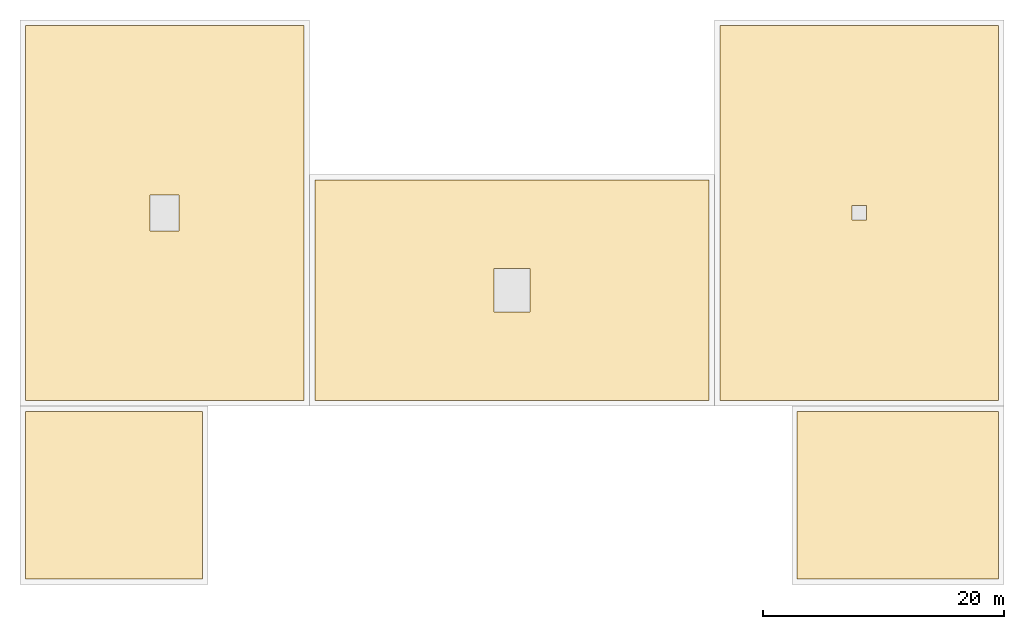
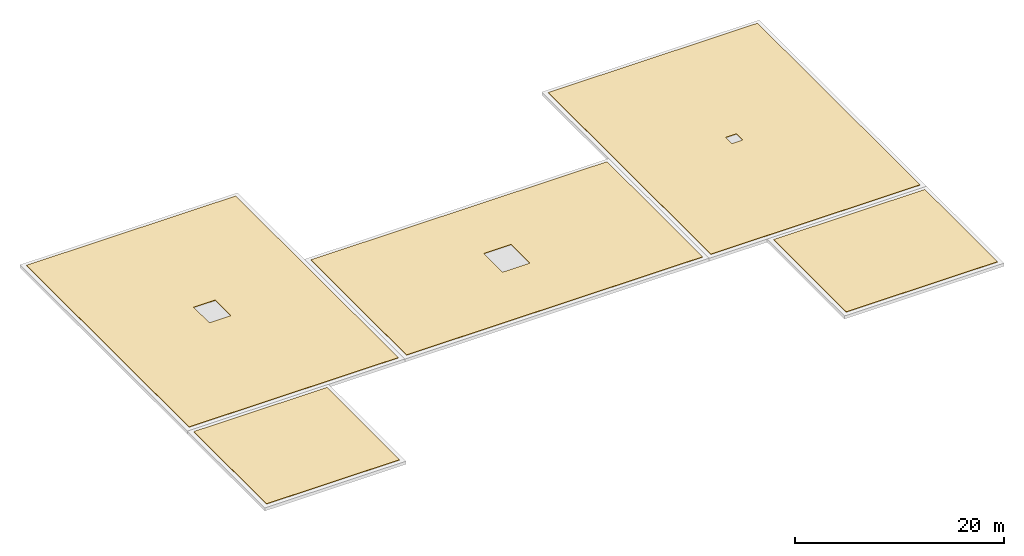
# One storey, part 2 of 2: 5 coverings.
"""IFC4 building model written with IfcOpenShell, lengths in metres."""

from ifc_helpers import new_model, si_unit, direction, frame, origin, place, context, subcontext, project, spatial, polyline, outline, extrude, material, layer, layer_set, type_object, element, save


model = new_model("IFC4")

# Units and contexts
model_context = context("Model", 3, precision=1e-05, world=origin(), true_north=direction((0.0, 1.0)))
body_context = subcontext(model_context, "Body", "Model", "MODEL_VIEW")
ifc_project = project(units=[si_unit("LENGTHUNIT", "METRE"), si_unit("AREAUNIT", "SQUARE_METRE"), si_unit("VOLUMEUNIT", "CUBIC_METRE"), si_unit("PLANEANGLEUNIT", "RADIAN"), si_unit("MASSUNIT", "GRAM", prefix="KILO")], contexts=[model_context])

# Site, building, storey
site_placement = place(None, origin())
site = spatial("IfcSite", under=ifc_project, at=site_placement, CompositionType="ELEMENT")
building_placement = place(site_placement, origin())
building = spatial("IfcBuilding", under=site, at=building_placement, Name="Korsvaeld Concert Hall", CompositionType="ELEMENT")
storey_placement = place(building_placement, frame((0.0, 0.0, 21.60009765625)))
storey = spatial("IfcBuildingStorey", under=building, at=storey_placement, Name="RF", CompositionType="ELEMENT", Elevation=21.60009765625)

# Coverings
ifc_material = material(Name="Patinated Nordic standing-seam copper roofing")
ifc_layer = layer(ifc_material, 0.06005859375)
ifc_layer_set = layer_set([ifc_layer], Name="Patinated Nordic standing-seam copper roofing")
covering_type = type_object("IfcCoveringType", Name="COV-ROOF-COPPER", PredefinedType="ROOFING", material=ifc_layer_set)
covering_1_placement = place(storey_placement, origin())
element("IfcCovering", 1, at=covering_1_placement, inside=storey, type_object=covering_type, Name="Patinated Nordic copper roof covering SLB-ROOF_TOP_K1", PredefinedType="ROOFING", context=body_context, shape_type="SweptSolid", body=[
    extrude(outline(polyline([(43.64990234375, 68.85009765625), (43.64990234375, 82.75), (58.35009765625, 82.75), (58.35009765625, 68.85009765625), (43.64990234375, 68.85009765625)])), origin(), (0.0, 0.0, 1.0), 0.059814453125),
])
covering_2_placement = place(storey_placement, origin())
element("IfcCovering", 2, at=covering_2_placement, inside=storey, type_object=covering_type, Name="Patinated Nordic copper roof covering SLB-ROOF_TOP_K2", PredefinedType="ROOFING", context=body_context, shape_type="SweptSolid", body=[
    extrude(outline(polyline([(107.64990234375, 68.85009765625), (107.64990234375, 82.75), (124.35009765625, 82.75), (124.35009765625, 68.85009765625), (107.64990234375, 68.85009765625)])), origin(), (0.0, 0.0, 1.0), 0.059814453125),
])
covering_3_placement = place(storey_placement, origin())
element("IfcCovering", 3, at=covering_3_placement, inside=storey, type_object=covering_type, Name="Patinated Nordic copper roof covering SLB-ROOF_TOP_V5W", PredefinedType="ROOFING", context=body_context, shape_type="SweptSolid", body=[
    extrude(outline(polyline([(43.64990234375, 83.64990234375), (43.64990234375, 114.75), (66.75, 114.75), (66.75, 83.64990234375), (43.64990234375, 83.64990234375)]), holes=[polyline([(54.0, 97.699951171875), (56.39990234375, 97.699951171875), (56.39990234375, 100.699951171875), (54.0, 100.699951171875), (54.0, 97.699951171875)])]), origin(), (0.0, 0.0, 1.0), 0.059814453125),
])
covering_4_placement = place(storey_placement, origin())
element("IfcCovering", 4, at=covering_4_placement, inside=storey, type_object=covering_type, Name="Patinated Nordic copper roof covering SLB-ROOF_TOP_V5C", PredefinedType="ROOFING", context=body_context, shape_type="SweptSolid", body=[
    extrude(outline(polyline([(67.64990234375, 83.64990234375), (67.64990234375, 101.949951171875), (100.35009765625, 101.949951171875), (100.35009765625, 83.64990234375), (67.64990234375, 83.64990234375)]), holes=[polyline([(82.5, 91.0), (85.5, 91.0), (85.5, 94.60009765625), (82.5, 94.60009765625), (82.5, 91.0)])]), origin(), (0.0, 0.0, 1.0), 0.059814453125),
])
covering_5_placement = place(storey_placement, origin())
element("IfcCovering", 5, at=covering_5_placement, inside=storey, type_object=covering_type, Name="Patinated Nordic copper roof covering SLB-ROOF_TOP_V5E", PredefinedType="ROOFING", context=body_context, shape_type="SweptSolid", body=[
    extrude(outline(polyline([(101.25, 83.64990234375), (101.25, 114.75), (124.35009765625, 114.75), (124.35009765625, 83.64990234375), (101.25, 83.64990234375)]), holes=[polyline([(112.199951171875, 98.60009765625), (113.39990234375, 98.60009765625), (113.39990234375, 99.800048828125), (112.199951171875, 99.800048828125), (112.199951171875, 98.60009765625)])]), origin(), (0.0, 0.0, 1.0), 0.059814453125),
])

save(model, "model.ifc")
